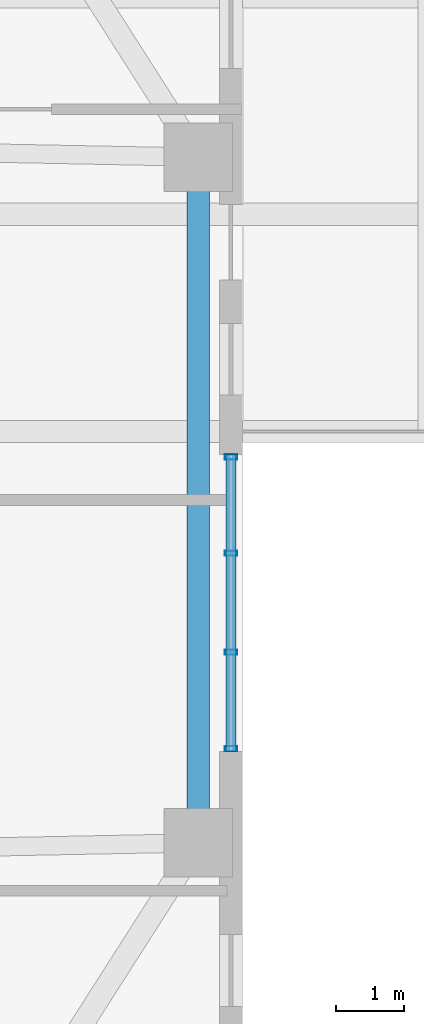
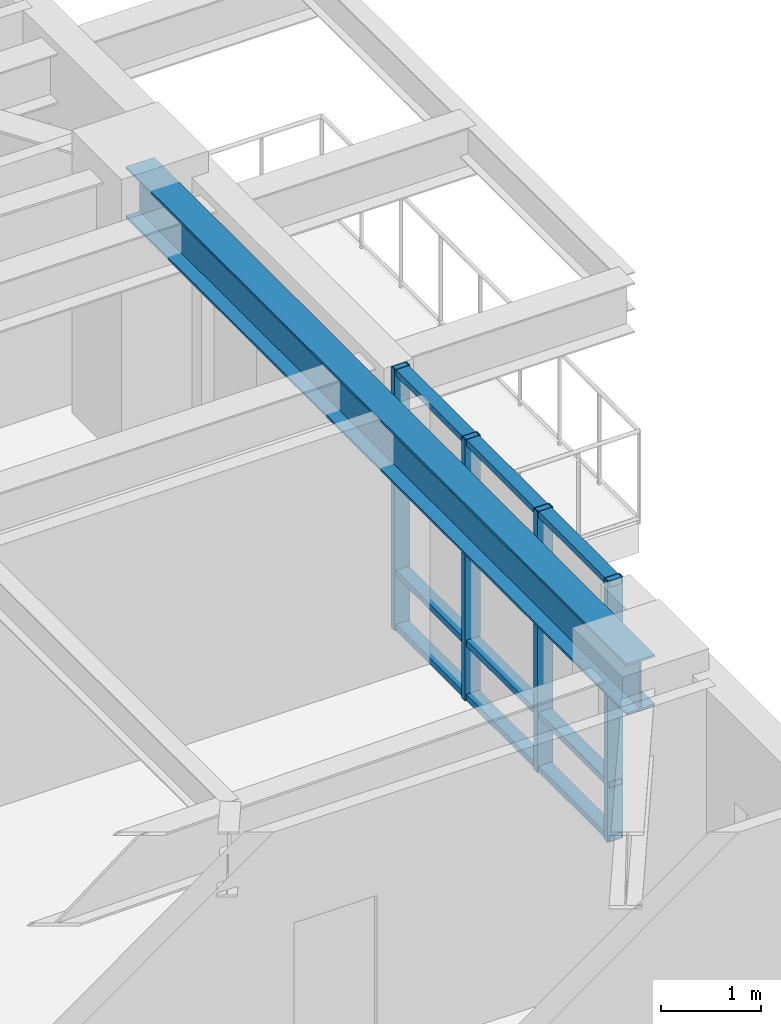
# One storey, part 2 of 10: 7 members, 1 beam, 1 element without a shape of its own.
"""IFC4 building model written with IfcOpenShell, lengths in metres."""

from ifc_helpers import new_model, si_unit, direction, frame, origin, origin_2d, place, context, subcontext, project, spatial, hollow_rectangle, i_section, extrude, material, layer, layer_set, material_profile, profile_set, type_object, element, aggregate, save


model = new_model("IFC4")

# Units and contexts
model_context = context("Model", 3, precision=1e-05, world=origin(), true_north=direction((0.0, 1.0)))
body_context = subcontext(model_context, "Body", "Model", "MODEL_VIEW")
ifc_project = project(units=[si_unit("LENGTHUNIT", "METRE"), si_unit("AREAUNIT", "SQUARE_METRE"), si_unit("VOLUMEUNIT", "CUBIC_METRE"), si_unit("PLANEANGLEUNIT", "RADIAN"), si_unit("MASSUNIT", "GRAM", prefix="KILO"), si_unit("THERMODYNAMICTEMPERATUREUNIT", "KELVIN"), si_unit("POWERUNIT", "WATT")], contexts=[model_context])

# Site, building, storey
site_placement = place(None, origin())
site = spatial("IfcSite", under=ifc_project, at=site_placement, CompositionType="ELEMENT")
building_placement = place(site_placement, origin())
building = spatial("IfcBuilding", under=site, at=building_placement, Name="Skarre Station Tower", CompositionType="ELEMENT")
storey_placement = place(building_placement, frame((0.0, 0.0, 105.0)))
storey = spatial("IfcBuildingStorey", under=building, at=storey_placement, Name="L27", CompositionType="ELEMENT", Elevation=105.0)

# Curtain wall, members
ifc_material_1 = material(Name="Thermally Broken Bronze-Anodized Aluminium & Triple Low-E Glass", Category="aluminium")
ifc_layer = layer(ifc_material_1, 0.18994140625, Name="Thermally Broken Bronze-Anodized Aluminium & Triple Low-E Glass")
ifc_layer_set = layer_set([ifc_layer], Name="Thermally Broken Bronze-Anodized Aluminium & Triple Low-E Glass")
curtain_wall_type = type_object("IfcCurtainWallType", Name="Sky-Garden Setback Conservatory Curtain Wall", PredefinedType="NOTDEFINED", material=ifc_layer_set)
curtain_wall_placement = place(storey_placement, origin())
curtain_wall = element("IfcCurtainWall", 1, at=curtain_wall_placement, inside=storey, type_object=curtain_wall_type, Name="L27 Facet 5 Conservatory Curtain Wall", PredefinedType="NOTDEFINED")
ifc_material_2 = material(Name="Anodized Aluminium 6063-T6", Category="aluminium")
ifc_material_profile_1 = material_profile(ifc_material_2, hollow_rectangle(XDim=0.074951171875, YDim=0.14990234375, WallThickness=0.00390625, at=origin_2d()), Name="Anodized Aluminium 6063-T6")
ifc_profile_set_1 = profile_set([ifc_material_profile_1], Name="Anodized Aluminium 6063-T6")
member_type_1 = type_object("IfcMemberType", Name="Curtain-Wall Secondary Transom 150x75", PredefinedType="USERDEFINED", material=ifc_profile_set_1)
member_1_placement = place(storey_placement, frame((57.048095703125, 24.66796875, 0.0400390625), z_axis=(0.0, -1.0, 0.0), x_axis=(0.0, 0.0, 1.0)))
member_1 = element("IfcMember", 2, at=member_1_placement, type_object=member_type_1, Name="L27 Facet 5 Conservatory Curtain Wall Transom 1", ObjectType="TRANSOM", PredefinedType="USERDEFINED", context=body_context, shape_type="SweptSolid", body=[
    extrude(hollow_rectangle(XDim=0.074951171875, YDim=0.14990234375, WallThickness=0.00390625, at=origin_2d()), origin(), (0.0, 0.0, 1.0), 4.343017578125),
])
member_2_placement = place(storey_placement, frame((57.048095703125, 24.66796875, 0.699951171875), z_axis=(0.0, -1.0, 0.0), x_axis=(0.0, 0.0, 1.0)))
member_2 = element("IfcMember", 3, at=member_2_placement, type_object=member_type_1, Name="L27 Facet 5 Conservatory Curtain Wall Transom 2", ObjectType="TRANSOM", PredefinedType="USERDEFINED", context=body_context, shape_type="SweptSolid", body=[
    extrude(hollow_rectangle(XDim=0.074951171875, YDim=0.14990234375, WallThickness=0.00390625, at=origin_2d()), origin(), (0.0, 0.0, 1.0), 4.343017578125),
])
member_3_placement = place(storey_placement, frame((57.048095703125, 24.66796875, 3.14990234375), z_axis=(0.0, -1.0, 0.0), x_axis=(0.0, 0.0, 1.0)))
member_3 = element("IfcMember", 4, at=member_3_placement, type_object=member_type_1, Name="L27 Facet 5 Conservatory Curtain Wall Transom 3", ObjectType="TRANSOM", PredefinedType="USERDEFINED", context=body_context, shape_type="SweptSolid", body=[
    extrude(hollow_rectangle(XDim=0.074951171875, YDim=0.14990234375, WallThickness=0.00390625, at=origin_2d()), origin(), (0.0, 0.0, 1.0), 4.343017578125),
])
ifc_material_profile_2 = material_profile(ifc_material_2, hollow_rectangle(XDim=0.074951171875, YDim=0.179931640625, WallThickness=0.00390625, at=origin_2d()), Name="Anodized Aluminium 6063-T6")
ifc_profile_set_2 = profile_set([ifc_material_profile_2], Name="Anodized Aluminium 6063-T6")
member_type_2 = type_object("IfcMemberType", Name="Curtain-Wall Unitised Tower Mullion 180x75", PredefinedType="MULLION", material=ifc_profile_set_2)
member_4_placement = place(storey_placement, frame((57.048095703125, 24.6279296875, 0.0), z_axis=(0.0, 0.0, 1.0), x_axis=(0.0, -1.0, 0.0)))
member_4 = element("IfcMember", 5, at=member_4_placement, type_object=member_type_2, Name="L27 Facet 5 Conservatory Curtain Wall Mullion 1", PredefinedType="MULLION", context=body_context, shape_type="SweptSolid", body=[
    extrude(hollow_rectangle(XDim=0.074951171875, YDim=0.179931640625, WallThickness=0.00390625, at=origin_2d()), origin(), (0.0, 0.0, 1.0), 3.18994140625),
])
member_5_placement = place(storey_placement, frame((57.048095703125, 23.219970703125, 0.0), z_axis=(0.0, 0.0, 1.0), x_axis=(0.0, -1.0, 0.0)))
member_5 = element("IfcMember", 6, at=member_5_placement, type_object=member_type_2, Name="L27 Facet 5 Conservatory Curtain Wall Mullion 2", PredefinedType="MULLION", context=body_context, shape_type="SweptSolid", body=[
    extrude(hollow_rectangle(XDim=0.074951171875, YDim=0.179931640625, WallThickness=0.00390625, at=origin_2d()), origin(), (0.0, 0.0, 1.0), 3.18994140625),
])
member_6_placement = place(storey_placement, frame((57.048095703125, 21.77294921875, 0.0), z_axis=(0.0, 0.0, 1.0), x_axis=(0.0, -1.0, 0.0)))
member_6 = element("IfcMember", 7, at=member_6_placement, type_object=member_type_2, Name="L27 Facet 5 Conservatory Curtain Wall Mullion 3", PredefinedType="MULLION", context=body_context, shape_type="SweptSolid", body=[
    extrude(hollow_rectangle(XDim=0.074951171875, YDim=0.179931640625, WallThickness=0.00390625, at=origin_2d()), origin(), (0.0, 0.0, 1.0), 3.18994140625),
])
member_7_placement = place(storey_placement, frame((57.048095703125, 20.364990234375, 0.0), z_axis=(0.0, 0.0, 1.0), x_axis=(0.0, -1.0, 0.0)))
member_7 = element("IfcMember", 8, at=member_7_placement, type_object=member_type_2, Name="L27 Facet 5 Conservatory Curtain Wall Mullion 4", PredefinedType="MULLION", context=body_context, shape_type="SweptSolid", body=[
    extrude(hollow_rectangle(XDim=0.074951171875, YDim=0.179931640625, WallThickness=0.00390625, at=origin_2d()), origin(), (0.0, 0.0, 1.0), 3.18994140625),
])
aggregate(curtain_wall, [member_4, member_5, member_6, member_7, member_1, member_2, member_3])

# Beam
ifc_material_3 = material(Name="Steel ASTM A992 Grade 50", Category="steel")
ifc_material_profile_3 = material_profile(ifc_material_3, i_section(OverallWidth=0.327880859375, OverallDepth=0.6279296875, WebThickness=0.01708984375, FlangeThickness=0.028076171875, at=origin_2d()), Name="Steel ASTM A992 Grade 50")
ifc_profile_set_3 = profile_set([ifc_material_profile_3], Name="Steel ASTM A992 Grade 50")
beam_type = type_object("IfcBeamType", Name="Steel Spandrel W24X146", PredefinedType="SPANDREL", material=ifc_profile_set_3)
beam_placement = place(storey_placement, frame((56.568115234375, 18.989013671875, 2.8759765625), z_axis=(0.0, 1.0, 0.0), x_axis=(-1.0, 0.0, 0.0)))
element("IfcBeam", 9, at=beam_placement, inside=storey, type_object=beam_type, Name="L27 Facet Spandrel Beam 11", PredefinedType="SPANDREL", context=body_context, shape_type="SweptSolid", body=[
    extrude(i_section(OverallWidth=0.327880859375, OverallDepth=0.6279296875, WebThickness=0.01708984375, FlangeThickness=0.028076171875, at=origin_2d()), origin(), (0.0, 0.0, 1.0), 10.02197265625),
])

save(model, "model.ifc")
